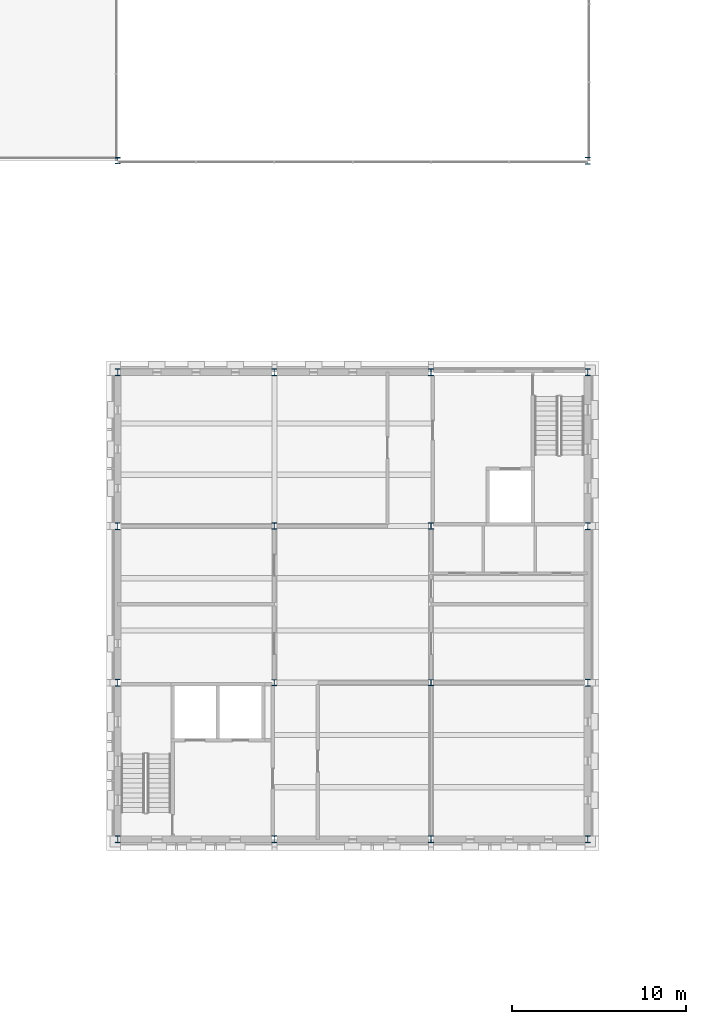
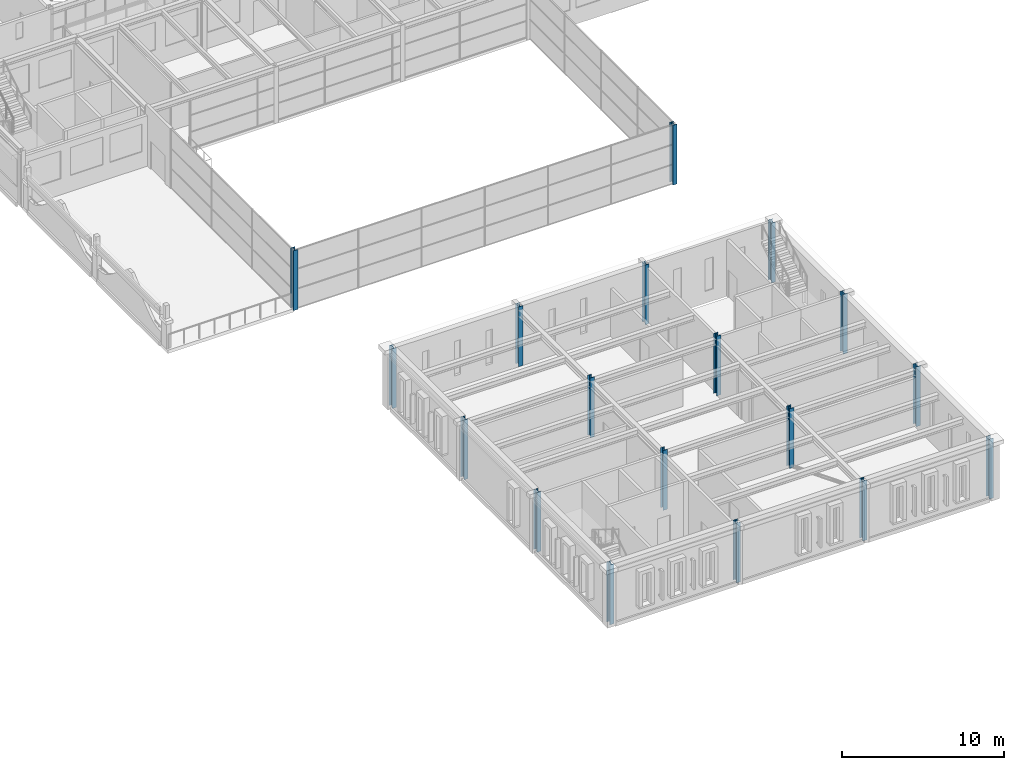
# One storey, part 1 of 70: 18 columns.
"""IFC4 building model written with IfcOpenShell, lengths in metres."""

from ifc_helpers import new_model, si_unit, direction, frame, origin, origin_2d, place, context, subcontext, project, spatial, i_section, extrude, material, material_profile, profile_set, type_object, element, save


model = new_model("IFC4")

# Units and contexts
model_context = context("Model", 3, precision=1e-05, world=origin(), true_north=direction((0.0, 1.0)))
body_context = subcontext(model_context, "Body", "Model", "MODEL_VIEW")
ifc_project = project(units=[si_unit("LENGTHUNIT", "METRE"), si_unit("AREAUNIT", "SQUARE_METRE"), si_unit("VOLUMEUNIT", "CUBIC_METRE"), si_unit("PLANEANGLEUNIT", "RADIAN"), si_unit("MASSUNIT", "GRAM", prefix="KILO")], contexts=[model_context])

# Site, building, storey
site_placement = place(None, origin())
site = spatial("IfcSite", under=ifc_project, at=site_placement, CompositionType="ELEMENT")
building_placement = place(site_placement, origin())
building = spatial("IfcBuilding", under=site, at=building_placement, Name="Kallimachos Central Library", CompositionType="ELEMENT")
storey_placement = place(building_placement, frame((0.0, 0.0, 18.89990234375)))
storey = spatial("IfcBuildingStorey", under=building, at=storey_placement, Name="L04", CompositionType="ELEMENT", Elevation=18.89990234375)

# Columns
ifc_material_1 = material(Name="Steel S355J2", Category="steel")
ifc_material_profile_1 = material_profile(ifc_material_1, i_section(OverallWidth=0.300048828125, OverallDepth=0.360107421875, WebThickness=0.012451171875, FlangeThickness=0.0224609375, FilletRadius=0.027099609375, at=origin_2d()), Name="HEB 360")
ifc_profile_set_1 = profile_set([ifc_material_profile_1], Name="Steel S355J2")
column_type_1 = type_object("IfcColumnType", Name="HEB 360 column", PredefinedType="COLUMN", material=ifc_profile_set_1)
for number, where, z_axis, x_axis, name in (
    (1, (83.5, 27.0, 0.0), (0.0, 0.0, 1.0), (1.0, 0.0, 0.0), "V5-COL-L04-006"),
    (2, (92.5, 27.0, 0.0), (0.0, 0.0, 1.0), (1.0, 0.0, 0.0), "V5-COL-L04-007"),
    (3, (83.5, 36.0, 0.0), (0.0, 0.0, 1.0), (1.0, 0.0, 0.0), "V5-COL-L04-010"),
    (4, (92.5, 36.0, 0.0), (0.0, 0.0, 1.0), (1.0, 0.0, 0.0), "V5-COL-L04-011"),
):
    element("IfcColumn", number, at=place(storey_placement, frame(where, z_axis=z_axis, x_axis=x_axis)), inside=storey, type_object=column_type_1, Name=name, PredefinedType="COLUMN", context=body_context, shape_type="SweptSolid", body=[
        extrude(i_section(OverallWidth=0.300048828125, OverallDepth=0.360107421875, WebThickness=0.012451171875, FlangeThickness=0.0224609375, FilletRadius=0.027099609375, at=origin_2d()), origin(), (0.0, 0.0, 1.0), 4.5),
    ])
ifc_material_2 = material(Name="Steel S355J2", Category="steel")
ifc_material_profile_2 = material_profile(ifc_material_2, i_section(OverallWidth=0.300048828125, OverallDepth=0.39990234375, WebThickness=0.013427734375, FlangeThickness=0.02392578125, FilletRadius=0.027099609375, at=origin_2d()), Name="HEB 400")
ifc_profile_set_2 = profile_set([ifc_material_profile_2], Name="Steel S355J2")
column_type_2 = type_object("IfcColumnType", Name="HEB 400 column", PredefinedType="COLUMN", material=ifc_profile_set_2)
for number, where, z_axis, x_axis, name in (
    (5, (74.5, 18.0, 0.0), (0.0, 0.0, 1.0), (1.0, 0.0, 0.0), "V5-COL-L04-001"),
    (6, (83.5, 18.0, 0.0), (0.0, 0.0, 1.0), (1.0, 0.0, 0.0), "V5-COL-L04-002"),
    (7, (92.5, 18.0, 0.0), (0.0, 0.0, 1.0), (1.0, 0.0, 0.0), "V5-COL-L04-003"),
    (8, (101.5, 18.0, 0.0), (0.0, 0.0, 1.0), (1.0, 0.0, 0.0), "V5-COL-L04-004"),
    (9, (74.5, 27.0, 0.0), (0.0, 0.0, 1.0), (1.0, 0.0, 0.0), "V5-COL-L04-005"),
    (10, (101.5, 27.0, 0.0), (0.0, 0.0, 1.0), (1.0, 0.0, 0.0), "V5-COL-L04-008"),
    (11, (74.5, 36.0, 0.0), (0.0, 0.0, 1.0), (1.0, 0.0, 0.0), "V5-COL-L04-009"),
    (12, (101.5, 36.0, 0.0), (0.0, 0.0, 1.0), (1.0, 0.0, 0.0), "V5-COL-L04-012"),
    (13, (74.5, 44.85009765625, 0.0), (0.0, 0.0, 1.0), (1.0, 0.0, 0.0), "V5-COL-L04-013"),
    (14, (83.5, 44.85009765625, 0.0), (0.0, 0.0, 1.0), (1.0, 0.0, 0.0), "V5-COL-L04-014"),
    (15, (92.5, 44.85009765625, 0.0), (0.0, 0.0, 1.0), (1.0, 0.0, 0.0), "V5-COL-L04-015"),
    (16, (101.5, 44.85009765625, 0.0), (0.0, 0.0, 1.0), (1.0, 0.0, 0.0), "V5-COL-L04-016"),
    (17, (101.5, 57.0, 0.0), (0.0, 0.0, 1.0), (1.0, 0.0, 0.0), "V4-COL-L04-013"),
):
    element("IfcColumn", number, at=place(storey_placement, frame(where, z_axis=z_axis, x_axis=x_axis)), inside=storey, type_object=column_type_2, Name=name, PredefinedType="COLUMN", context=body_context, shape_type="SweptSolid", body=[
        extrude(i_section(OverallWidth=0.300048828125, OverallDepth=0.39990234375, WebThickness=0.013427734375, FlangeThickness=0.02392578125, FilletRadius=0.027099609375, at=origin_2d()), origin(), (0.0, 0.0, 1.0), 4.5),
    ])
ifc_material_3 = material(Name="Steel S355J2", Category="steel")
ifc_material_profile_3 = material_profile(ifc_material_3, i_section(OverallWidth=0.30908203125, OverallDepth=0.376953125, WebThickness=0.02099609375, FlangeThickness=0.0400390625, FilletRadius=0.027099609375, at=origin_2d()), Name="HEM 340")
ifc_profile_set_3 = profile_set([ifc_material_profile_3], Name="Steel S355J2")
column_type_3 = type_object("IfcColumnType", Name="HEM 340 column", PredefinedType="COLUMN", material=ifc_profile_set_3)
column_placement = place(storey_placement, frame((74.5, 57.0, 0.0), z_axis=(0.0, 0.0, 1.0), x_axis=(1.0, 0.0, 0.0)))
element("IfcColumn", 18, at=column_placement, inside=storey, type_object=column_type_3, Name="V4-COL-L04-014", PredefinedType="COLUMN", context=body_context, shape_type="SweptSolid", body=[
    extrude(i_section(OverallWidth=0.30908203125, OverallDepth=0.376953125, WebThickness=0.02099609375, FlangeThickness=0.0400390625, FilletRadius=0.027099609375, at=origin_2d()), origin(), (0.0, 0.0, 1.0), 4.5),
])

save(model, "model.ifc")
